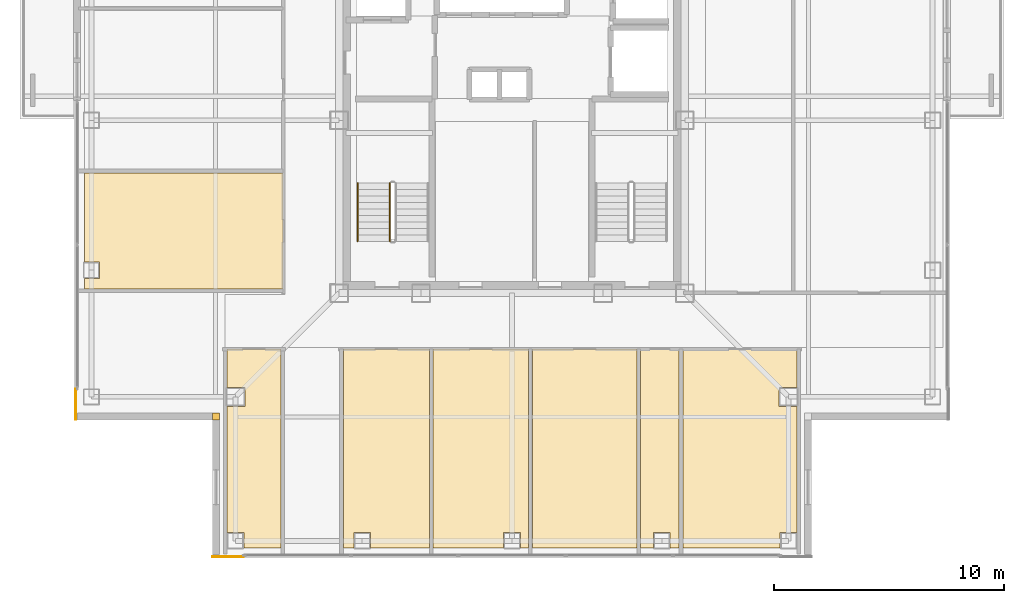
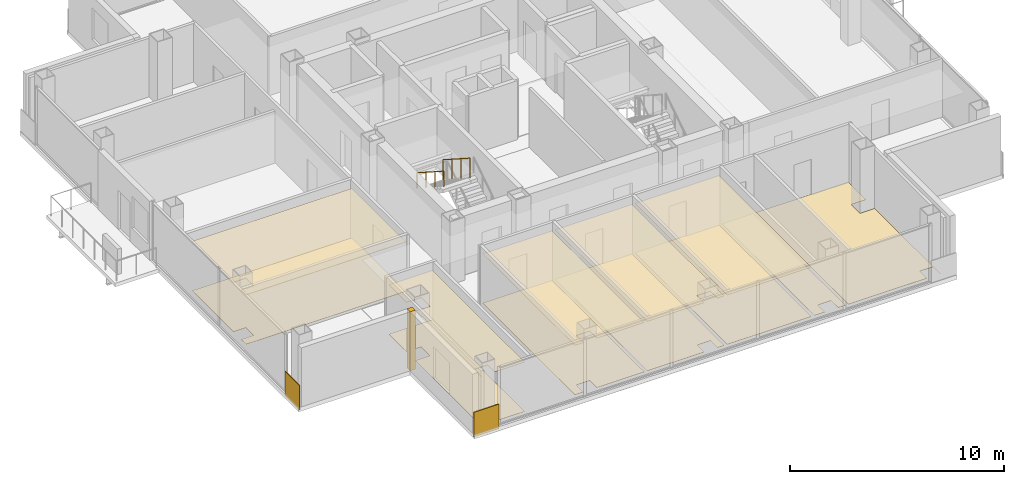
# One storey, part 11 of 13: 15 coverings, 2 railings.
"""IFC4 building model written with IfcOpenShell, lengths in metres."""

import ifcopenshell
import ifcopenshell.guid

model = None  # the IFC model being written
_history = None  # IfcOwnerHistory: only IFC2X3 demands one
_inside = {}  # id of a spatial element -> (the spatial element, [elements in it])
_under = {}  # id of a project, library or spatial element -> (it, [spatial elements below it])
_declared = {}  # id of a project -> (the project, [libraries it declares])
_typed = {}  # id of a type object -> (the type object, [elements of that type])
_made_of = {}  # id of a material, layer set ... -> (it, [elements and type objects made of it])


def new_model(schema):
    """Start an empty IFC model of exactly this schema.

    Asked for "IFC4X3", IfcOpenShell would pick the latest addendum, in which some entities
    have other attributes; the version numbers below select the first issue.
    IFC2X3 requires an IfcOwnerHistory on every rooted entity: one is made here for all.
    """
    global model, _history
    if schema == "IFC4X3":
        model = ifcopenshell.file(schema_version=(4, 3, 0, 0))
    else:
        model = ifcopenshell.file(schema=schema)
    _inside.clear()
    _under.clear()
    _declared.clear()
    _typed.clear()
    _made_of.clear()
    _history = None
    if model.schema == "IFC2X3":
        org = make("IfcOrganization", Name="unknown")
        user = make(
            "IfcPersonAndOrganization",
            ThePerson=make("IfcPerson", FamilyName="unknown"),
            TheOrganization=org,
        )
        app = make(
            "IfcApplication",
            ApplicationDeveloper=org,
            Version="unknown",
            ApplicationFullName="unknown",
            ApplicationIdentifier="unknown",
        )
        _history = make(
            "IfcOwnerHistory",
            OwningUser=user,
            OwningApplication=app,
            ChangeAction="ADDED",
            CreationDate=0,
        )
    return model


def make(cls, **values):
    """One entity of the class cls with the attributes given. An attribute that is None is left unset."""
    return model.create_entity(
        cls, **{name: value for name, value in values.items() if value is not None}
    )


def rooted(cls, **values):
    """An entity with a GlobalId (a new one), such as an element, a storey or a relation."""
    return make(cls, GlobalId=ifcopenshell.guid.new(), OwnerHistory=_history, **values)


def si_unit(unit_type, name, prefix=None):
    """IfcSIUnit, for example si_unit("LENGTHUNIT", "METRE", prefix="MILLI")."""
    return make("IfcSIUnit", UnitType=unit_type, Prefix=prefix, Name=name)


def assignment(units):
    """IfcUnitAssignment: the units of a project."""
    return None if units is None else make("IfcUnitAssignment", Units=units)


def point(xyz):
    """IfcCartesianPoint."""
    return None if xyz is None else make("IfcCartesianPoint", Coordinates=xyz)


def direction(xyz):
    """IfcDirection."""
    return None if xyz is None else make("IfcDirection", DirectionRatios=xyz)


def frame(location, z_axis=None, x_axis=None):
    """IfcAxis2Placement3D, a coordinate frame: its origin and axes. An axis left out is left unset."""
    return make(
        "IfcAxis2Placement3D",
        Location=point(location),
        Axis=direction(z_axis),
        RefDirection=direction(x_axis),
    )


def frame_2d(location, x_axis=None):
    """IfcAxis2Placement2D, a coordinate frame in the plane: its origin and x axis."""
    return make(
        "IfcAxis2Placement2D", Location=point(location), RefDirection=direction(x_axis)
    )


def origin():
    """The frame at (0, 0, 0) with its axes left unset."""
    return frame((0.0, 0.0, 0.0))


def origin_2d():
    """The frame at (0, 0) in the plane with its x axis left unset."""
    return frame_2d((0.0, 0.0))


def place(relative_to, where):
    """IfcLocalPlacement: puts the frame where relative to a parent placement (None: the world)."""
    return make(
        "IfcLocalPlacement", PlacementRelTo=relative_to, RelativePlacement=where
    )


def context(
    kind, dimensions, precision=None, world=None, true_north=None, identifier=None
):
    """IfcGeometricRepresentationContext, for example the 3D "Model" context."""
    return make(
        "IfcGeometricRepresentationContext",
        ContextIdentifier=identifier,
        ContextType=kind,
        CoordinateSpaceDimension=dimensions,
        Precision=precision,
        WorldCoordinateSystem=world,
        TrueNorth=true_north,
    )


def subcontext(parent, identifier, kind, view, scale=None):
    """IfcGeometricRepresentationSubContext, for example "Body" below "Model"."""
    return make(
        "IfcGeometricRepresentationSubContext",
        ContextIdentifier=identifier,
        ContextType=kind,
        ParentContext=parent,
        TargetScale=scale,
        TargetView=view,
    )


def project(units=None, contexts=None):
    """IfcProject with its units and contexts."""
    return rooted(
        "IfcProject",
        Name="project",
        RepresentationContexts=contexts,
        UnitsInContext=assignment(units),
    )


def spatial(cls, under=None, at=None, **own):
    """A site, building, storey or space (cls), placed at a placement, below another one or the project."""
    s = rooted(cls, ObjectPlacement=at, **own)
    if under is not None:
        _under.setdefault(under.id(), (under, []))[1].append(s)
    return s


def polyline(points):
    """IfcPolyline through the points."""
    return make("IfcPolyline", Points=[point(p) for p in points])


def profile(cls, at=None, kind="AREA", **sizes):
    """A parametric profile (cls). Its sizes go by their IFC names, for example OverallWidth=200.0."""
    return make(cls, ProfileType=kind, Position=at, **sizes)


def rectangle(**sizes):
    """IfcRectangleProfileDef."""
    return profile("IfcRectangleProfileDef", **sizes)


def circle(**sizes):
    """IfcCircleProfileDef."""
    return profile("IfcCircleProfileDef", **sizes)


def outline(outer, holes=None, kind="AREA"):
    """IfcArbitraryClosedProfileDef: a profile drawn as a closed curve; with holes, ...WithVoids."""
    if holes is None:
        return make("IfcArbitraryClosedProfileDef", ProfileType=kind, OuterCurve=outer)
    return make(
        "IfcArbitraryProfileDefWithVoids",
        ProfileType=kind,
        OuterCurve=outer,
        InnerCurves=holes,
    )


def extrude(swept, where, along, depth):
    """IfcExtrudedAreaSolid: the profile swept, set in the frame where, extruded along a direction by depth."""
    return make(
        "IfcExtrudedAreaSolid",
        SweptArea=swept,
        Position=where,
        ExtrudedDirection=direction(along),
        Depth=depth,
    )


def shape(context_of_items, identifier, shape_type, items):
    """IfcShapeRepresentation: the items that make up one representation, for example the "Body"."""
    return make(
        "IfcShapeRepresentation",
        ContextOfItems=context_of_items,
        RepresentationIdentifier=identifier,
        RepresentationType=shape_type,
        Items=items,
    )


def material(Name=None, Category=None):
    """IfcMaterial."""
    return make("IfcMaterial", Name=Name, Category=Category)


def layer(
    of_material, thickness, ventilated=None, Name=None, Category=None, Priority=None
):
    """IfcMaterialLayer: one layer of a wall or slab, of a material (None: an air gap)."""
    return make(
        "IfcMaterialLayer",
        Material=of_material,
        LayerThickness=thickness,
        IsVentilated=ventilated,
        Name=Name,
        Category=Category,
        Priority=Priority,
    )


def layer_set(layers, Name=None):
    """IfcMaterialLayerSet."""
    return make("IfcMaterialLayerSet", MaterialLayers=layers, LayerSetName=Name)


def made_of(thing, what):
    """Note that an element or type object is made of a material, layer set ...; save() writes the relation."""
    if what is not None:
        _made_of.setdefault(what.id(), (what, []))[1].append(thing)
    return thing


def type_object(cls, material=None, **own):
    """A type object (cls), such as IfcWallType, which elements share."""
    return made_of(rooted(cls, **own), material)


def element(
    cls,
    number,
    at=None,
    inside=None,
    cuts=None,
    type_object=None,
    material=None,
    context=None,
    identifier="Body",
    shape_type=None,
    held_by="IfcProductDefinitionShape",
    body=None,
    shapes=None,
    **own,
):
    """One element of the class cls, such as IfcWall. Its Tag is "e" and its number.

    at: its placement. inside: the storey or other place that contains it. cuts: it is an
    opening in that element (IfcRelVoidsElement). A single representation is given by context,
    identifier, shape_type and body (its items); several are given by shapes. held_by: the class
    of the entity that holds the representations. save() writes the other relations.
    """
    e = rooted(cls, Tag="e%d" % number, ObjectPlacement=at, **own)
    if body is not None:
        shapes = [shape(context, identifier, shape_type, body)]
    if shapes is not None:
        e.Representation = make(held_by, Representations=shapes)
    if inside is not None:
        _inside.setdefault(inside.id(), (inside, []))[1].append(e)
    if cuts is not None:
        rooted(
            "IfcRelVoidsElement", RelatingBuildingElement=cuts, RelatedOpeningElement=e
        )
    if type_object is not None:
        _typed.setdefault(type_object.id(), (type_object, []))[1].append(e)
    return made_of(e, material)


def aggregate(whole, parts):
    """IfcRelAggregates: a whole, such as a stair, and the parts it consists of."""
    return rooted("IfcRelAggregates", RelatingObject=whole, RelatedObjects=parts)


def save(model, path):
    """Write the relations noted so far, then the file.

    IfcRelAggregates (storeys below a building ...), IfcRelContainedInSpatialStructure (elements
    in a storey), IfcRelDefinesByType, IfcRelAssociatesMaterial and IfcRelDeclares: one each for
    every whole, place, type object, material and project.
    """
    for whole, parts in _under.values():
        aggregate(whole, parts)
    for where, things in _inside.values():
        rooted(
            "IfcRelContainedInSpatialStructure",
            RelatedElements=things,
            RelatingStructure=where,
        )
    for kind, things in _typed.values():
        rooted("IfcRelDefinesByType", RelatedObjects=things, RelatingType=kind)
    for what, things in _made_of.values():
        rooted("IfcRelAssociatesMaterial", RelatedObjects=things, RelatingMaterial=what)
    for by, libraries in _declared.values():
        rooted("IfcRelDeclares", RelatingContext=by, RelatedDefinitions=libraries)
    model.write(path)


model = new_model("IFC4")

# Units and contexts
model_context = context("Model", 3, precision=1e-05, world=origin(), true_north=direction((0.0, 1.0)))
body_context = subcontext(model_context, "Body", "Model", "MODEL_VIEW")
ifc_project = project(units=[si_unit("LENGTHUNIT", "METRE"), si_unit("AREAUNIT", "SQUARE_METRE"), si_unit("VOLUMEUNIT", "CUBIC_METRE"), si_unit("PLANEANGLEUNIT", "RADIAN"), si_unit("MASSUNIT", "GRAM", prefix="KILO")], contexts=[model_context])

# Site, building, storey
site_placement = place(None, origin())
site = spatial("IfcSite", under=ifc_project, at=site_placement, CompositionType="ELEMENT")
building_placement = place(site_placement, origin())
building = spatial("IfcBuilding", under=site, at=building_placement, Name="Trevonay Congress Spire", CompositionType="ELEMENT")
storey_placement = place(building_placement, frame((0.0, 0.0, 286.39990234375)))
storey = spatial("IfcBuildingStorey", under=building, at=storey_placement, Name="L75", CompositionType="ELEMENT", Elevation=286.39990234375)

# Coverings
ifc_material_1 = material(Name="Acoustic Mineral Fibre Board", Category="gypsum")
ifc_layer_1 = layer(ifc_material_1, 0.02490234375, Name="Acoustic Mineral Fibre Board")
ifc_layer_set_1 = layer_set([ifc_layer_1], Name="Acoustic Mineral Fibre Board")
covering_type_1 = type_object("IfcCoveringType", Name="COV-CEIL-ACOUSTIC", PredefinedType="CEILING", material=ifc_layer_set_1)
covering_1_placement = place(storey_placement, frame((0.0, 0.0, 2.81005859375)))
element("IfcCovering", 1, at=covering_1_placement, inside=storey, type_object=covering_type_1, Name="L75 Forum Director Corner Office acoustic suspended ceiling", PredefinedType="CEILING", context=body_context, shape_type="SweptSolid", body=[
    extrude(outline(polyline([(-12.3701171875, -18.550048828125), (-12.3701171875, -12.409912109375), (-11.590087890625, -12.409912109375), (-11.590087890625, -11.590087890625), (-12.3701171875, -11.590087890625), (-12.3701171875, -9.929931640625), (-10.030029296875, -9.929931640625), (-10.030029296875, -18.550048828125), (-11.639892578125, -18.550048828125), (-11.639892578125, -17.889892578125), (-12.360107421875, -17.889892578125), (-12.360107421875, -18.550048828125), (-12.3701171875, -18.550048828125)])), origin(), (0.0, 0.0, 1.0), 0.025146484375),
])
covering_2_placement = place(storey_placement, frame((0.0, 0.0, 2.81005859375)))
element("IfcCovering", 2, at=covering_2_placement, inside=storey, type_object=covering_type_1, Name="L75 Ocean Engineering Office 1 acoustic suspended ceiling", PredefinedType="CEILING", context=body_context, shape_type="SweptSolid", body=[
    extrude(outline(polyline([(-7.320068359375, -18.550048828125), (-7.320068359375, -9.929931640625), (-3.580078125, -9.929931640625), (-3.580078125, -18.550048828125), (-6.139892578125, -18.550048828125), (-6.139892578125, -17.889892578125), (-6.860107421875, -17.889892578125), (-6.860107421875, -18.550048828125), (-7.320068359375, -18.550048828125)])), origin(), (0.0, 0.0, 1.0), 0.025146484375),
])
covering_3_placement = place(storey_placement, frame((0.0, 0.0, 2.81005859375)))
element("IfcCovering", 3, at=covering_3_placement, inside=storey, type_object=covering_type_1, Name="L75 Naval Architecture Office 2 acoustic suspended ceiling", PredefinedType="CEILING", context=body_context, shape_type="SweptSolid", body=[
    extrude(outline(polyline([(-3.419921875, -18.550048828125), (-3.419921875, -9.929931640625), (0.719970703125, -9.929931640625), (0.719970703125, -18.550048828125), (0.360107421875, -18.550048828125), (0.360107421875, -17.889892578125), (-0.360107421875, -17.889892578125), (-0.360107421875, -18.550048828125), (-3.419921875, -18.550048828125)])), origin(), (0.0, 0.0, 1.0), 0.025146484375),
])
covering_4_placement = place(storey_placement, frame((0.0, 0.0, 2.81005859375)))
element("IfcCovering", 4, at=covering_4_placement, inside=storey, type_object=covering_type_1, Name="L75 Port Automation Office 3 acoustic suspended ceiling", PredefinedType="CEILING", context=body_context, shape_type="SweptSolid", body=[
    extrude(outline(polyline([(0.8798828125, -18.550048828125), (5.419921875, -18.550048828125), (5.419921875, -9.929931640625), (0.8798828125, -9.929931640625), (0.8798828125, -18.550048828125)])), origin(), (0.0, 0.0, 1.0), 0.025146484375),
])
covering_5_placement = place(storey_placement, frame((0.0, 0.0, 2.81005859375)))
element("IfcCovering", 5, at=covering_5_placement, inside=storey, type_object=covering_type_1, Name="L75 Symposium Seminar Room A acoustic suspended ceiling", PredefinedType="CEILING", context=body_context, shape_type="SweptSolid", body=[
    extrude(outline(polyline([(-18.550048828125, -2.280029296875), (-9.929931640625, -2.280029296875), (-9.929931640625, -7.320068359375), (-18.550048828125, -7.320068359375), (-18.550048828125, -6.860107421875), (-17.889892578125, -6.860107421875), (-17.889892578125, -6.139892578125), (-18.550048828125, -6.139892578125), (-18.550048828125, -2.280029296875)])), origin(), (0.0, 0.0, 1.0), 0.025146484375),
])
ifc_material_2 = material(Name="Polished Granite Floor Tile", Category="masonry")
ifc_layer_2 = layer(ifc_material_2, 0.02001953125, Name="Polished Granite Floor Tile")
ifc_layer_set_2 = layer_set([ifc_layer_2], Name="Polished Granite Floor Tile")
covering_type_2 = type_object("IfcCoveringType", Name="COV-FLOOR-STONE", PredefinedType="FLOORING", material=ifc_layer_set_2)
covering_6_placement = place(storey_placement, origin())
element("IfcCovering", 6, at=covering_6_placement, inside=storey, type_object=covering_type_2, Name="L75 Accessible WC floor finish", PredefinedType="FLOORING", context=body_context, shape_type="SweptSolid", body=[
    extrude(outline(polyline([(5.580078125, -18.550048828125), (5.580078125, -9.929931640625), (7.25, -9.929931640625), (7.25, -18.550048828125), (6.860107421875, -18.550048828125), (6.860107421875, -17.889892578125), (6.139892578125, -17.889892578125), (6.139892578125, -18.550048828125), (5.580078125, -18.550048828125)])), origin(), (0.0, 0.0, 1.0), 0.02001953125),
])
covering_7_placement = place(storey_placement, origin())
element("IfcCovering", 7, at=covering_7_placement, inside=storey, type_object=covering_type_2, Name="L75 Floor Supplies and Copy Room floor finish", PredefinedType="FLOORING", context=body_context, shape_type="SweptSolid", body=[
    extrude(outline(polyline([(7.409912109375, -18.550048828125), (7.409912109375, -9.929931640625), (12.3701171875, -9.929931640625), (12.3701171875, -11.590087890625), (11.590087890625, -11.590087890625), (11.590087890625, -12.409912109375), (12.3701171875, -12.409912109375), (12.3701171875, -18.550048828125), (12.360107421875, -18.550048828125), (12.360107421875, -17.889892578125), (11.639892578125, -17.889892578125), (11.639892578125, -18.550048828125), (7.409912109375, -18.550048828125)])), origin(), (0.0, 0.0, 1.0), 0.02001953125),
])
ifc_material_3 = material(Name="Engineered Oak Flooring", Category="wood")
ifc_layer_3 = layer(ifc_material_3, 0.01806640625, Name="Engineered Oak Flooring")
ifc_layer_set_3 = layer_set([ifc_layer_3], Name="Engineered Oak Flooring")
covering_type_3 = type_object("IfcCoveringType", Name="COV-FLOOR-TIMBER", PredefinedType="FLOORING", material=ifc_layer_set_3)
covering_8_placement = place(storey_placement, origin())
element("IfcCovering", 8, at=covering_8_placement, inside=storey, type_object=covering_type_3, Name="L75 Forum Director Corner Office floor finish", PredefinedType="FLOORING", context=body_context, shape_type="SweptSolid", body=[
    extrude(outline(polyline([(-12.3701171875, -18.550048828125), (-12.3701171875, -12.409912109375), (-11.590087890625, -12.409912109375), (-11.590087890625, -11.590087890625), (-12.3701171875, -11.590087890625), (-12.3701171875, -9.929931640625), (-10.030029296875, -9.929931640625), (-10.030029296875, -18.550048828125), (-11.639892578125, -18.550048828125), (-11.639892578125, -17.889892578125), (-12.360107421875, -17.889892578125), (-12.360107421875, -18.550048828125), (-12.3701171875, -18.550048828125)])), origin(), (0.0, 0.0, 1.0), 0.01806640625),
])
covering_9_placement = place(storey_placement, origin())
element("IfcCovering", 9, at=covering_9_placement, inside=storey, type_object=covering_type_3, Name="L75 Ocean Engineering Office 1 floor finish", PredefinedType="FLOORING", context=body_context, shape_type="SweptSolid", body=[
    extrude(outline(polyline([(-7.320068359375, -18.550048828125), (-7.320068359375, -9.929931640625), (-3.580078125, -9.929931640625), (-3.580078125, -18.550048828125), (-6.139892578125, -18.550048828125), (-6.139892578125, -17.889892578125), (-6.860107421875, -17.889892578125), (-6.860107421875, -18.550048828125), (-7.320068359375, -18.550048828125)])), origin(), (0.0, 0.0, 1.0), 0.01806640625),
])
covering_10_placement = place(storey_placement, origin())
element("IfcCovering", 10, at=covering_10_placement, inside=storey, type_object=covering_type_3, Name="L75 Naval Architecture Office 2 floor finish", PredefinedType="FLOORING", context=body_context, shape_type="SweptSolid", body=[
    extrude(outline(polyline([(-3.419921875, -18.550048828125), (-3.419921875, -9.929931640625), (0.719970703125, -9.929931640625), (0.719970703125, -18.550048828125), (0.360107421875, -18.550048828125), (0.360107421875, -17.889892578125), (-0.360107421875, -17.889892578125), (-0.360107421875, -18.550048828125), (-3.419921875, -18.550048828125)])), origin(), (0.0, 0.0, 1.0), 0.01806640625),
])
covering_11_placement = place(storey_placement, origin())
element("IfcCovering", 11, at=covering_11_placement, inside=storey, type_object=covering_type_3, Name="L75 Port Automation Office 3 floor finish", PredefinedType="FLOORING", context=body_context, shape_type="SweptSolid", body=[
    extrude(outline(polyline([(0.8798828125, -18.550048828125), (5.419921875, -18.550048828125), (5.419921875, -9.929931640625), (0.8798828125, -9.929931640625), (0.8798828125, -18.550048828125)])), origin(), (0.0, 0.0, 1.0), 0.01806640625),
])
covering_12_placement = place(storey_placement, origin())
element("IfcCovering", 12, at=covering_12_placement, inside=storey, type_object=covering_type_3, Name="L75 Symposium Seminar Room A floor finish", PredefinedType="FLOORING", context=body_context, shape_type="SweptSolid", body=[
    extrude(outline(polyline([(-18.550048828125, -2.280029296875), (-9.929931640625, -2.280029296875), (-9.929931640625, -7.320068359375), (-18.550048828125, -7.320068359375), (-18.550048828125, -6.860107421875), (-17.889892578125, -6.860107421875), (-17.889892578125, -6.139892578125), (-18.550048828125, -6.139892578125), (-18.550048828125, -2.280029296875)])), origin(), (0.0, 0.0, 1.0), 0.01806640625),
])
ifc_material_4 = material(Name="Pale Anodised Aluminium EN AW-6063-T6", Category="aluminium")
ifc_layer_4 = layer(ifc_material_4, 0.0400390625, Name="Pale Anodised Aluminium EN AW-6063-T6")
ifc_layer_set_4 = layer_set([ifc_layer_4], Name="Pale Anodised Aluminium EN AW-6063-T6")
covering_type_4 = type_object("IfcCoveringType", Name="COV-SPANDREL-PALE-METAL", PredefinedType="CLADDING", material=ifc_layer_set_4)
covering_13_placement = place(storey_placement, origin())
element("IfcCovering", 13, at=covering_13_placement, inside=storey, type_object=covering_type_4, Name="L75 SW re-entrant notch corner closure trim", PredefinedType="CLADDING", context=body_context, shape_type="SweptSolid", body=[
    extrude(outline(polyline([(-13.0, -13.0), (-12.699951171875, -13.0), (-12.699951171875, -12.699951171875), (-13.0, -12.699951171875), (-13.0, -13.0)])), origin(), (0.0, 0.0, 1.0), 3.360107421875),
])
for number, where, z_axis, x_axis, name in (
    (14, (-18.93994140625, -11.64990234375, -0.14990234375), (0.0, 0.0, 1.0), (0.0, -1.0, 0.0), "L75 SW corner pier spandrel cladding 1"),
    (15, (-11.64990234375, -18.93994140625, -0.14990234375), (0.0, 0.0, 1.0), (-1.0, 0.0, 0.0), "L75 SW corner pier spandrel cladding 2"),
):
    element("IfcCovering", number, at=place(storey_placement, frame(where, z_axis=z_axis, x_axis=x_axis)), inside=storey, type_object=covering_type_4, Name=name, PredefinedType="CLADDING", context=body_context, shape_type="SweptSolid", body=[
        extrude(rectangle(XDim=1.35009765625, YDim=0.0400390625, at=frame_2d((0.675048828125, 0.0))), origin(), (0.0, 0.0, 1.0), 1.39990234375),
    ])

# Railings
railing_type_1 = type_object("IfcRailingType", Name="RAL-STAIR-GUARD-110", PredefinedType="GUARDRAIL", material=ifc_material_4)
railing_1_placement = place(storey_placement, frame((-5.300048828125, -2.72998046875, 1.97998046875)))
element("IfcRailing", 16, at=railing_1_placement, inside=storey, type_object=railing_type_1, Name="L75 ST-1 stair guard 3", PredefinedType="GUARDRAIL", context=body_context, shape_type="SweptSolid", body=[
    extrude(circle(Radius=0.02392578125, at=origin_2d()), frame((0.0, 0.0, 1.1259765625), z_axis=(0.0, -0.841162588446, 0.540782303519), x_axis=(1.0, 0.0, 0.0)), (0.0, 0.0, 1.0), 2.995849609375),
    extrude(circle(Radius=0.02099609375, at=origin_2d()), origin(), (0.0, 0.0, 1.0), 1.101806640625),
    extrude(circle(Radius=0.02099609375, at=origin_2d()), frame((0.0, -0.840087890625, 0.5400390625)), (0.0, 0.0, 1.0), 1.101806640625),
    extrude(circle(Radius=0.02099609375, at=origin_2d()), frame((0.0, -1.679931640625, 1.080078125)), (0.0, 0.0, 1.0), 1.101806640625),
    extrude(circle(Radius=0.02099609375, at=origin_2d()), frame((0.0, -2.52001953125, 1.6201171875)), (0.0, 0.0, 1.0), 1.101806640625),
])
railing_type_2 = type_object("IfcRailingType", Name="RAL-STAIR-HANDRAIL", PredefinedType="HANDRAIL", material=ifc_material_4)
railing_2_placement = place(storey_placement, frame((-6.699951171875, -2.72998046875, 1.97998046875)))
element("IfcRailing", 17, at=railing_2_placement, inside=storey, type_object=railing_type_2, Name="L75 ST-1 stair handrail 2", PredefinedType="HANDRAIL", context=body_context, shape_type="SweptSolid", body=[
    extrude(circle(Radius=0.02392578125, at=origin_2d()), frame((0.0, 0.0, 0.8759765625), z_axis=(0.0, -0.841162588446, 0.540782303519), x_axis=(1.0, 0.0, 0.0)), (0.0, 0.0, 1.0), 2.995849609375),
    extrude(circle(Radius=0.02099609375, at=origin_2d()), origin(), (0.0, 0.0, 1.0), 0.851806640625),
    extrude(circle(Radius=0.02099609375, at=origin_2d()), frame((0.0, -0.840087890625, 0.5400390625)), (0.0, 0.0, 1.0), 0.851806640625),
    extrude(circle(Radius=0.02099609375, at=origin_2d()), frame((0.0, -1.679931640625, 1.080078125)), (0.0, 0.0, 1.0), 0.851806640625),
    extrude(circle(Radius=0.02099609375, at=origin_2d()), frame((0.0, -2.52001953125, 1.6201171875)), (0.0, 0.0, 1.0), 0.851806640625),
])

save(model, "model.ifc")
